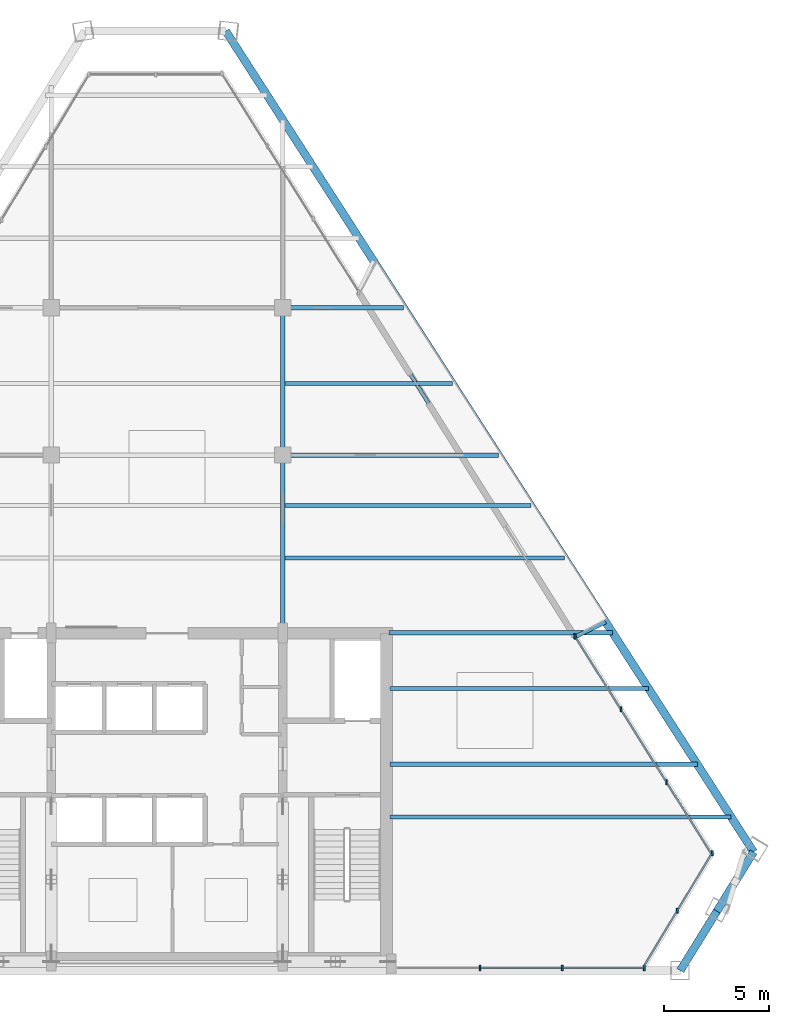
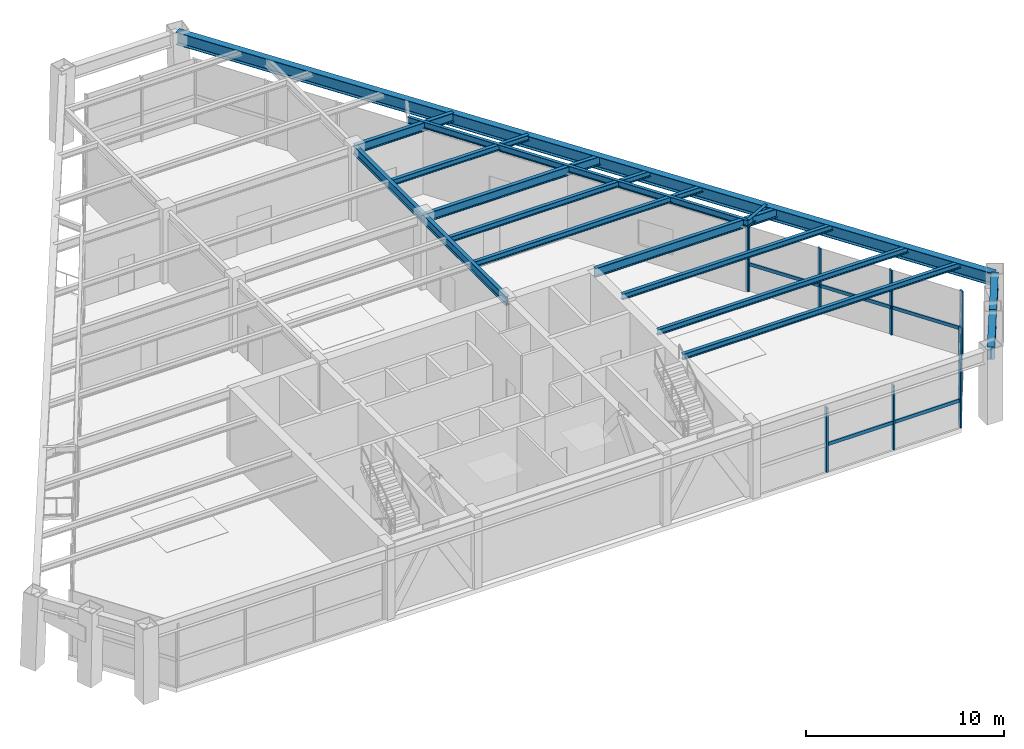
# One storey, part 4 of 11: 16 beams, 16 members, 3 elements without a shape of their own.
"""IFC4 building model written with IfcOpenShell, lengths in metres."""

from ifc_helpers import new_model, si_unit, direction, frame, origin, origin_2d, place, context, subcontext, project, spatial, rectangle, i_section, extrude, source, transform, mapped, material, material_profile, profile_set, type_object, type_shapes, element, aggregate, save


model = new_model("IFC4")

# Units and contexts
model_context = context("Model", 3, precision=1e-05, world=origin(), true_north=direction((0.0, 1.0)))
body_context = subcontext(model_context, "Body", "Model", "MODEL_VIEW")
ifc_project = project(units=[si_unit("LENGTHUNIT", "METRE"), si_unit("AREAUNIT", "SQUARE_METRE"), si_unit("VOLUMEUNIT", "CUBIC_METRE"), si_unit("PLANEANGLEUNIT", "RADIAN"), si_unit("MASSUNIT", "GRAM", prefix="KILO")], contexts=[model_context])

# Site, building, storey
site_placement = place(None, origin())
site = spatial("IfcSite", under=ifc_project, at=site_placement, CompositionType="ELEMENT")
building_placement = place(site_placement, origin())
building = spatial("IfcBuilding", under=site, at=building_placement, Name="Varnakhor Terracotta Tower", CompositionType="ELEMENT")
storey_placement = place(building_placement, frame((0.0, 0.0, 215.39990234375)))
storey = spatial("IfcBuildingStorey", under=building, at=storey_placement, Name="L55", CompositionType="ELEMENT", Elevation=215.39990234375)

# Beams
ifc_material_1 = material(Name="Steel S355", Category="steel")
ifc_material_profile_1 = material_profile(ifc_material_1, i_section(OverallWidth=0.381103515625, OverallDepth=0.77294921875, WebThickness=0.01708984375, FlangeThickness=0.027099609375, FilletRadius=0.01806640625, at=origin_2d()), Name="W30X173")
ifc_profile_set_1 = profile_set([ifc_material_profile_1], Name="Steel S355")
beam_type_1 = type_object("IfcBeamType", Name="BM-W30X173", PredefinedType="BEAM", material=ifc_profile_set_1)
shared_shape_1 = source(origin(), body_context, "Body", "SweptSolid", [
    extrude(i_section(OverallWidth=0.381103515625, OverallDepth=0.77294921875, WebThickness=0.01708984375, FlangeThickness=0.027099609375, FilletRadius=0.01806640625, at=origin_2d()), origin(), (0.0, 0.0, 1.0), 3.31298828125),
])
beam_1_placement = place(storey_placement, frame((24.388671875, 0.0, 4.003662109375), z_axis=(0.525732907472, 0.85064969876, 0.0), x_axis=(-0.85064969876, 0.525732907472, 0.0)))
element("IfcBeam", 1, at=beam_1_placement, inside=storey, type_object=beam_type_1, Name="L55 Perimeter Spandrel 2", PredefinedType="BEAM", context=body_context, shape_type="MappedRepresentation", body=[
    mapped(shared_shape_1, transform((0.0, 0.0, 0.0), scale=1.0)),
])
shared_shape_2 = source(origin(), body_context, "Body", "SweptSolid", [
    extrude(i_section(OverallWidth=0.381103515625, OverallDepth=0.77294921875, WebThickness=0.01708984375, FlangeThickness=0.027099609375, FilletRadius=0.01806640625, at=origin_2d()), origin(), (0.0, 0.0, 1.0), 3.312744140625),
])
beam_2_placement = place(storey_placement, frame((26.13037109375, 2.818115234375, 4.003662109375), z_axis=(0.525679579042, 0.850682655388, 0.0), x_axis=(-0.850682655388, 0.525679579042, 0.0)))
element("IfcBeam", 2, at=beam_2_placement, inside=storey, type_object=beam_type_1, Name="L55 Perimeter Spandrel 3", PredefinedType="BEAM", context=body_context, shape_type="MappedRepresentation", body=[
    mapped(shared_shape_2, transform((0.0, 0.0, 0.0), scale=1.0)),
])
shared_shape_3 = source(origin(), body_context, "Body", "SweptSolid", [
    extrude(i_section(OverallWidth=0.381103515625, OverallDepth=0.77294921875, WebThickness=0.01708984375, FlangeThickness=0.027099609375, FilletRadius=0.01806640625, at=origin_2d()), origin(), (0.0, 0.0, 1.0), 46.388427734375),
])
beam_3_placement = place(storey_placement, frame((27.871826171875, 5.63623046875, 4.003662109375), z_axis=(-0.540837920291, 0.841126829899, 0.0), x_axis=(-0.841126829899, -0.540837920291, 0.0)))
element("IfcBeam", 3, at=beam_3_placement, inside=storey, type_object=beam_type_1, Name="L55 Perimeter Spandrel 4", PredefinedType="BEAM", context=body_context, shape_type="MappedRepresentation", body=[
    mapped(shared_shape_3, transform((0.0, 0.0, 0.0), scale=1.0)),
])
ifc_material_profile_2 = material_profile(ifc_material_1, i_section(OverallWidth=0.179931640625, OverallDepth=0.39990234375, WebThickness=0.008544921875, FlangeThickness=0.013427734375, FilletRadius=0.01806640625, at=origin_2d()), Name="IPE400")
ifc_profile_set_2 = profile_set([ifc_material_profile_2], Name="Steel S355")
beam_type_2 = type_object("IfcBeamType", Name="JST-IPE400", PredefinedType="JOIST", material=ifc_profile_set_2)
shared_shape_4 = source(origin(), body_context, "Body", "SweptSolid", [
    extrude(i_section(OverallWidth=0.179931640625, OverallDepth=0.39990234375, WebThickness=0.008544921875, FlangeThickness=0.013427734375, FilletRadius=0.01806640625, at=origin_2d()), origin(), (0.0, 0.0, 1.0), 19.382080078125),
])
beam_4_placement = place(storey_placement, frame((19.37646484375, 15.8486328125, 4.190185546875), z_axis=(-0.530538911835, 0.847660582444, 0.0), x_axis=(-0.847660582444, -0.530538911835, 0.0)))
element("IfcBeam", 4, at=beam_4_placement, inside=storey, type_object=beam_type_2, Name="L55 Loggia Edge Beam 1", PredefinedType="JOIST", context=body_context, shape_type="MappedRepresentation", body=[
    mapped(shared_shape_4, transform((0.0, 0.0, 0.0), scale=1.0)),
])
ifc_material_profile_3 = material_profile(ifc_material_1, i_section(OverallWidth=0.214111328125, OverallDepth=0.549072265625, WebThickness=0.014892578125, FlangeThickness=0.02392578125, FilletRadius=0.01806640625, at=origin_2d()), Name="W21X93")
ifc_profile_set_3 = profile_set([ifc_material_profile_3], Name="Steel S355")
beam_type_3 = type_object("IfcBeamType", Name="BM-W21X93", PredefinedType="BEAM", material=ifc_profile_set_3)
shared_shape_5 = source(origin(), body_context, "Body", "SweptSolid", [
    extrude(i_section(OverallWidth=0.214111328125, OverallDepth=0.549072265625, WebThickness=0.014892578125, FlangeThickness=0.02392578125, FilletRadius=0.01806640625, at=origin_2d()), origin(), (0.0, 0.0, 1.0), 8.449951171875),
])
type_shapes(beam_type_3, [shared_shape_5])
beam_5_placement = place(storey_placement, frame((5.5, 16.050048828125, 4.115478515625), z_axis=(0.0, 1.0, 0.0), x_axis=(-1.0, 0.0, 0.0)))
element("IfcBeam", 5, at=beam_5_placement, inside=storey, type_object=beam_type_3, Name="L55 Primary Girder NS1-E", PredefinedType="BEAM", context=body_context, shape_type="MappedRepresentation", body=[
    mapped(shared_shape_5, transform((0.0, 0.0, 0.0), scale=1.0)),
])
shared_shape_6 = source(origin(), body_context, "Body", "SweptSolid", [
    extrude(i_section(OverallWidth=0.214111328125, OverallDepth=0.549072265625, WebThickness=0.014892578125, FlangeThickness=0.02392578125, FilletRadius=0.01806640625, at=origin_2d()), origin(), (0.0, 0.0, 1.0), 7.0),
])
beam_6_placement = place(storey_placement, frame((5.5, 24.5, 4.115478515625), z_axis=(0.0, 1.0, 0.0), x_axis=(-1.0, 0.0, 0.0)))
element("IfcBeam", 6, at=beam_6_placement, inside=storey, type_object=beam_type_3, Name="L55 Primary Girder NS2-E", PredefinedType="BEAM", context=body_context, shape_type="MappedRepresentation", body=[
    mapped(shared_shape_6, transform((0.0, 0.0, 0.0), scale=1.0)),
])
shared_shape_7 = source(origin(), body_context, "Body", "SweptSolid", [
    extrude(i_section(OverallWidth=0.214111328125, OverallDepth=0.549072265625, WebThickness=0.014892578125, FlangeThickness=0.02392578125, FilletRadius=0.01806640625, at=origin_2d()), origin(), (0.0, 0.0, 1.0), 10.625732421875),
])
beam_7_placement = place(storey_placement, frame((10.550048828125, 16.050048828125, 4.115478515625), z_axis=(1.0, 0.0, 0.0), x_axis=(0.0, 1.0, 0.0)))
element("IfcBeam", 7, at=beam_7_placement, inside=storey, type_object=beam_type_3, Name="L55 Wing Girder E", PredefinedType="BEAM", context=body_context, shape_type="MappedRepresentation", body=[
    mapped(shared_shape_7, transform((0.0, 0.0, 0.0), scale=1.0)),
])
shared_shape_8 = source(origin(), body_context, "Body", "SweptSolid", [
    extrude(i_section(OverallWidth=0.214111328125, OverallDepth=0.549072265625, WebThickness=0.014892578125, FlangeThickness=0.02392578125, FilletRadius=0.01806640625, at=origin_2d()), origin(), (0.0, 0.0, 1.0), 10.24267578125),
])
beam_8_placement = place(storey_placement, frame((5.5, 24.5, 4.115478515625), z_axis=(1.0, 0.0, 0.0), x_axis=(0.0, 1.0, 0.0)))
element("IfcBeam", 8, at=beam_8_placement, inside=storey, type_object=beam_type_3, Name="L55 Primary Girder EW2-3", PredefinedType="BEAM", context=body_context, shape_type="MappedRepresentation", body=[
    mapped(shared_shape_8, transform((0.0, 0.0, 0.0), scale=1.0)),
])
shared_shape_9 = source(origin(), body_context, "Body", "SweptSolid", [
    extrude(i_section(OverallWidth=0.214111328125, OverallDepth=0.549072265625, WebThickness=0.014892578125, FlangeThickness=0.02392578125, FilletRadius=0.01806640625, at=origin_2d()), origin(), (0.0, 0.0, 1.0), 5.74169921875),
])
beam_9_placement = place(storey_placement, frame((5.5, 31.5, 4.115478515625), z_axis=(1.0, 0.0, 0.0), x_axis=(0.0, 1.0, 0.0)))
element("IfcBeam", 9, at=beam_9_placement, inside=storey, type_object=beam_type_3, Name="L55 Primary Girder EW3-3", PredefinedType="BEAM", context=body_context, shape_type="MappedRepresentation", body=[
    mapped(shared_shape_9, transform((0.0, 0.0, 0.0), scale=1.0)),
])
ifc_material_profile_4 = material_profile(ifc_material_1, i_section(OverallWidth=0.202880859375, OverallDepth=0.346923828125, WebThickness=0.0078125, FlangeThickness=0.013427734375, FilletRadius=0.01806640625, at=origin_2d()), Name="W14X43")
ifc_profile_set_4 = profile_set([ifc_material_profile_4], Name="Steel S355")
beam_type_4 = type_object("IfcBeamType", Name="JST-W14X43", PredefinedType="JOIST", material=ifc_profile_set_4)
shared_shape_10 = source(origin(), body_context, "Body", "SweptSolid", [
    extrude(i_section(OverallWidth=0.202880859375, OverallDepth=0.346923828125, WebThickness=0.0078125, FlangeThickness=0.013427734375, FilletRadius=0.01806640625, at=origin_2d()), origin(), (0.0, 0.0, 1.0), 16.201904296875),
])
beam_10_placement = place(storey_placement, frame((10.60009765625, 7.300048828125, 4.216552734375), z_axis=(1.0, 0.0, 0.0), x_axis=(0.0, 1.0, 0.0)))
element("IfcBeam", 10, at=beam_10_placement, inside=storey, type_object=beam_type_4, Name="L55 Floor Joist E1", PredefinedType="JOIST", context=body_context, shape_type="MappedRepresentation", body=[
    mapped(shared_shape_10, transform((0.0, 0.0, 0.0), scale=1.0)),
])
shared_shape_11 = source(origin(), body_context, "Body", "SweptSolid", [
    extrude(i_section(OverallWidth=0.202880859375, OverallDepth=0.346923828125, WebThickness=0.0078125, FlangeThickness=0.013427734375, FilletRadius=0.01806640625, at=origin_2d()), origin(), (0.0, 0.0, 1.0), 14.594482421875),
])
beam_11_placement = place(storey_placement, frame((10.60009765625, 9.800048828125, 4.216552734375), z_axis=(1.0, 0.0, 0.0), x_axis=(0.0, 1.0, 0.0)))
element("IfcBeam", 11, at=beam_11_placement, inside=storey, type_object=beam_type_4, Name="L55 Floor Joist E2", PredefinedType="JOIST", context=body_context, shape_type="MappedRepresentation", body=[
    mapped(shared_shape_11, transform((0.0, 0.0, 0.0), scale=1.0)),
])
shared_shape_12 = source(origin(), body_context, "Body", "SweptSolid", [
    extrude(i_section(OverallWidth=0.202880859375, OverallDepth=0.346923828125, WebThickness=0.0078125, FlangeThickness=0.013427734375, FilletRadius=0.01806640625, at=origin_2d()), origin(), (0.0, 0.0, 1.0), 12.27978515625),
])
beam_12_placement = place(storey_placement, frame((10.60009765625, 13.39990234375, 4.216552734375), z_axis=(1.0, 0.0, 0.0), x_axis=(0.0, 1.0, 0.0)))
element("IfcBeam", 12, at=beam_12_placement, inside=storey, type_object=beam_type_4, Name="L55 Floor Joist E3", PredefinedType="JOIST", context=body_context, shape_type="MappedRepresentation", body=[
    mapped(shared_shape_12, transform((0.0, 0.0, 0.0), scale=1.0)),
])
shared_shape_13 = source(origin(), body_context, "Body", "SweptSolid", [
    extrude(i_section(OverallWidth=0.202880859375, OverallDepth=0.346923828125, WebThickness=0.0078125, FlangeThickness=0.013427734375, FilletRadius=0.01806640625, at=origin_2d()), origin(), (0.0, 0.0, 1.0), 13.290283203125),
])
beam_13_placement = place(storey_placement, frame((5.60302734375, 19.60009765625, 4.216552734375), z_axis=(1.0, 0.0, 0.0), x_axis=(0.0, 1.0, 0.0)))
element("IfcBeam", 13, at=beam_13_placement, inside=storey, type_object=beam_type_4, Name="L55 Composite Floor Joist 4-3", PredefinedType="JOIST", context=body_context, shape_type="MappedRepresentation", body=[
    mapped(shared_shape_13, transform((0.0, 0.0, 0.0), scale=1.0)),
])
shared_shape_14 = source(origin(), body_context, "Body", "SweptSolid", [
    extrude(i_section(OverallWidth=0.202880859375, OverallDepth=0.346923828125, WebThickness=0.0078125, FlangeThickness=0.013427734375, FilletRadius=0.01806640625, at=origin_2d()), origin(), (0.0, 0.0, 1.0), 11.682861328125),
])
beam_14_placement = place(storey_placement, frame((5.60302734375, 22.10009765625, 4.216552734375), z_axis=(1.0, 0.0, 0.0), x_axis=(0.0, 1.0, 0.0)))
element("IfcBeam", 14, at=beam_14_placement, inside=storey, type_object=beam_type_4, Name="L55 Composite Floor Joist 5-3", PredefinedType="JOIST", context=body_context, shape_type="MappedRepresentation", body=[
    mapped(shared_shape_14, transform((0.0, 0.0, 0.0), scale=1.0)),
])
shared_shape_15 = source(origin(), body_context, "Body", "SweptSolid", [
    extrude(i_section(OverallWidth=0.202880859375, OverallDepth=0.346923828125, WebThickness=0.0078125, FlangeThickness=0.013427734375, FilletRadius=0.01806640625, at=origin_2d()), origin(), (0.0, 0.0, 1.0), 7.953369140625),
])
beam_15_placement = place(storey_placement, frame((5.60302734375, 27.89990234375, 4.216552734375), z_axis=(1.0, 0.0, 0.0), x_axis=(0.0, 1.0, 0.0)))
element("IfcBeam", 15, at=beam_15_placement, inside=storey, type_object=beam_type_4, Name="L55 Composite Floor Joist 6-3", PredefinedType="JOIST", context=body_context, shape_type="MappedRepresentation", body=[
    mapped(shared_shape_15, transform((0.0, 0.0, 0.0), scale=1.0)),
])

# Curtain wall, members
ifc_material_2 = material(Name="Anodised Aluminium Curtain Wall System", Category="aluminium")
curtain_wall_type = type_object("IfcCurtainWallType", Name="CW-SYS-SKYLOBBY", PredefinedType="NOTDEFINED", material=ifc_material_2)
curtain_wall_1_placement = place(storey_placement, origin())
curtain_wall_1 = element("IfcCurtainWall", 16, at=curtain_wall_1_placement, inside=storey, type_object=curtain_wall_type, Name="L55 E Facet Curtain Wall 2", PredefinedType="NOTDEFINED")
ifc_material_3 = material(Name="Anodised Aluminium 6063-T6", Category="aluminium")
ifc_material_profile_5 = material_profile(ifc_material_3, rectangle(XDim=0.090087890625, YDim=0.239990234375, at=origin_2d()), Name="ALU MULLION 90x240")
ifc_profile_set_5 = profile_set([ifc_material_profile_5], Name="Anodised Aluminium 6063-T6")
member_type_1 = type_object("IfcMemberType", Name="CWM-05", PredefinedType="MULLION", material=ifc_profile_set_5)
shared_shape_16 = source(origin(), body_context, "Body", "SweptSolid", [
    extrude(rectangle(XDim=0.090087890625, YDim=0.239990234375, at=origin_2d()), origin(), (0.0, 0.0, 1.0), 3.97021484375),
])
member_1_placement = place(storey_placement, frame((19.4013671875, 15.86376953125, 0.0), z_axis=(0.0, 0.0, 1.0), x_axis=(1.0, 0.0, 0.0)))
member_1 = element("IfcMember", 17, at=member_1_placement, type_object=member_type_1, Name="L55 E Facet Curtain Wall 2 Mullion 1", PredefinedType="MULLION", context=body_context, shape_type="MappedRepresentation", body=[
    mapped(shared_shape_16, transform((0.0, 0.0, 0.0), scale=1.0)),
])
member_2_placement = place(storey_placement, frame((21.568359375, 12.41064453125, 0.0), z_axis=(0.0, 0.0, 1.0), x_axis=(1.0, 0.0, 0.0)))
member_2 = element("IfcMember", 18, at=member_2_placement, type_object=member_type_1, Name="L55 E Facet Curtain Wall 2 Mullion 2", PredefinedType="MULLION", context=body_context, shape_type="MappedRepresentation", body=[
    mapped(shared_shape_16, transform((0.0, 0.0, 0.0), scale=1.0)),
])
member_3_placement = place(storey_placement, frame((23.7353515625, 8.95751953125, 0.0), z_axis=(0.0, 0.0, 1.0), x_axis=(1.0, 0.0, 0.0)))
member_3 = element("IfcMember", 19, at=member_3_placement, type_object=member_type_1, Name="L55 E Facet Curtain Wall 2 Mullion 3", PredefinedType="MULLION", context=body_context, shape_type="MappedRepresentation", body=[
    mapped(shared_shape_16, transform((0.0, 0.0, 0.0), scale=1.0)),
])
member_4_placement = place(storey_placement, frame((19.368408203125, 15.878662109375, 0.0), z_axis=(0.0, 0.0, 1.0), x_axis=(1.0, 0.0, 0.0)))
member_4 = element("IfcMember", 20, at=member_4_placement, type_object=member_type_1, Name="L55 E Loggia Jamb Closure Mullion 2", PredefinedType="MULLION", context=body_context, shape_type="MappedRepresentation", body=[
    mapped(shared_shape_16, transform((0.0, 0.0, 0.0), scale=1.0)),
])

curtain_wall_2_placement = place(storey_placement, origin())
curtain_wall_2 = element("IfcCurtainWall", 21, at=curtain_wall_2_placement, inside=storey, type_object=curtain_wall_type, Name="L55 Facet Curtain Wall 4", PredefinedType="NOTDEFINED")
member_5_placement = place(storey_placement, frame((25.901611328125, 5.578857421875, 0.0), z_axis=(0.0, 0.0, 1.0), x_axis=(1.0, 0.0, 0.0)))
member_5 = element("IfcMember", 22, at=member_5_placement, type_object=member_type_1, Name="L55 Facet Curtain Wall 4 Mullion 1", PredefinedType="MULLION", context=body_context, shape_type="MappedRepresentation", body=[
    mapped(shared_shape_16, transform((0.0, 0.0, 0.0), scale=1.0)),
])
member_6_placement = place(storey_placement, frame((24.24755859375, 2.833251953125, 0.0), z_axis=(0.0, 0.0, 1.0), x_axis=(1.0, 0.0, 0.0)))
member_6 = element("IfcMember", 23, at=member_6_placement, type_object=member_type_1, Name="L55 Facet Curtain Wall 4 Mullion 2", PredefinedType="MULLION", context=body_context, shape_type="MappedRepresentation", body=[
    mapped(shared_shape_16, transform((0.0, 0.0, 0.0), scale=1.0)),
])

curtain_wall_3_placement = place(storey_placement, origin())
curtain_wall_3 = element("IfcCurtainWall", 24, at=curtain_wall_3_placement, inside=storey, type_object=curtain_wall_type, Name="L55 South Wing Curtain Wall SSE", PredefinedType="NOTDEFINED")
member_7_placement = place(storey_placement, frame((22.670654296875, 0.1201171875, 0.0), z_axis=(0.0, 0.0, 1.0), x_axis=(1.0, 0.0, 0.0)))
member_7 = element("IfcMember", 25, at=member_7_placement, type_object=member_type_1, Name="L55 South Wing Curtain Wall SSE Mullion 1", PredefinedType="MULLION", context=body_context, shape_type="MappedRepresentation", body=[
    mapped(shared_shape_16, transform((0.0, 0.0, 0.0), scale=1.0)),
])
member_8_placement = place(storey_placement, frame((18.7705078125, 0.1201171875, 0.0), z_axis=(0.0, 0.0, 1.0), x_axis=(1.0, 0.0, 0.0)))
member_8 = element("IfcMember", 26, at=member_8_placement, type_object=member_type_1, Name="L55 South Wing Curtain Wall SSE Mullion 2", PredefinedType="MULLION", context=body_context, shape_type="MappedRepresentation", body=[
    mapped(shared_shape_16, transform((0.0, 0.0, 0.0), scale=1.0)),
])
member_9_placement = place(storey_placement, frame((14.8701171875, 0.1201171875, 0.0), z_axis=(0.0, 0.0, 1.0), x_axis=(1.0, 0.0, 0.0)))
member_9 = element("IfcMember", 27, at=member_9_placement, type_object=member_type_1, Name="L55 South Wing Curtain Wall SSE Mullion 3", PredefinedType="MULLION", context=body_context, shape_type="MappedRepresentation", body=[
    mapped(shared_shape_16, transform((0.0, 0.0, 0.0), scale=1.0)),
])

# Member
ifc_material_profile_6 = material_profile(ifc_material_3, rectangle(XDim=0.090087890625, YDim=0.2099609375, at=origin_2d()), Name="ALU TRANSOM 90x210")
ifc_profile_set_6 = profile_set([ifc_material_profile_6], Name="Anodised Aluminium 6063-T6")
member_type_2 = type_object("IfcMemberType", Name="CWT-05", PredefinedType="USERDEFINED", material=ifc_profile_set_6)
shared_shape_17 = source(origin(), body_context, "Body", "SweptSolid", [
    extrude(rectangle(XDim=0.090087890625, YDim=0.2099609375, at=origin_2d()), origin(), (0.0, 0.0, 1.0), 4.07666015625),
])
member_10_placement = place(storey_placement, frame((19.4013671875, 15.86376953125, 1.66748046875), z_axis=(0.531548362189, -0.847027944435, 0.0), x_axis=(0.847027944435, 0.531548362189, 0.0)))
member_10 = element("IfcMember", 28, at=member_10_placement, type_object=member_type_2, Name="L55 E Facet Curtain Wall 2 Transom 1", ObjectType="TRANSOM", PredefinedType="USERDEFINED", context=body_context, shape_type="MappedRepresentation", body=[
    mapped(shared_shape_17, transform((0.0, 0.0, 0.0), scale=1.0)),
])

member_11_placement = place(storey_placement, frame((21.568359375, 12.41064453125, 1.66748046875), z_axis=(0.531548362189, -0.847027944435, 0.0), x_axis=(0.847027944435, 0.531548362189, 0.0)))
member_11 = element("IfcMember", 29, at=member_11_placement, type_object=member_type_2, Name="L55 E Facet Curtain Wall 2 Transom 2", ObjectType="TRANSOM", PredefinedType="USERDEFINED", context=body_context, shape_type="MappedRepresentation", body=[
    mapped(shared_shape_17, transform((0.0, 0.0, 0.0), scale=1.0)),
])

shared_shape_18 = source(origin(), body_context, "Body", "SweptSolid", [
    extrude(rectangle(XDim=0.090087890625, YDim=0.2099609375, at=origin_2d()), origin(), (0.0, 0.0, 1.0), 4.076904296875),
])
member_12_placement = place(storey_placement, frame((23.7353515625, 8.95751953125, 1.66748046875), z_axis=(0.531521400424, -0.847044863565, 0.0), x_axis=(0.847044863565, 0.531521400424, 0.0)))
member_12 = element("IfcMember", 30, at=member_12_placement, type_object=member_type_2, Name="L55 E Facet Curtain Wall 2 Transom 3", ObjectType="TRANSOM", PredefinedType="USERDEFINED", context=body_context, shape_type="MappedRepresentation", body=[
    mapped(shared_shape_18, transform((0.0, 0.0, 0.0), scale=1.0)),
])

aggregate(curtain_wall_1, [member_1, member_10, member_2, member_11, member_3, member_12, member_4])

shared_shape_19 = source(origin(), body_context, "Body", "SweptSolid", [
    extrude(rectangle(XDim=0.090087890625, YDim=0.2099609375, at=origin_2d()), origin(), (0.0, 0.0, 1.0), 3.205322265625),
])
member_13_placement = place(storey_placement, frame((25.901611328125, 5.578857421875, 1.66748046875), z_axis=(-0.51602946679, -0.856570831516, 0.0), x_axis=(0.856570831516, -0.51602946679, 0.0)))
member_13 = element("IfcMember", 31, at=member_13_placement, type_object=member_type_2, Name="L55 Facet Curtain Wall 4 Transom 1", ObjectType="TRANSOM", PredefinedType="USERDEFINED", context=body_context, shape_type="MappedRepresentation", body=[
    mapped(shared_shape_19, transform((0.0, 0.0, 0.0), scale=1.0)),
])

member_14_placement = place(storey_placement, frame((24.24755859375, 2.833251953125, 1.66748046875), z_axis=(-0.51602946679, -0.856570831516, 0.0), x_axis=(0.856570831516, -0.51602946679, 0.0)))
member_14 = element("IfcMember", 32, at=member_14_placement, type_object=member_type_2, Name="L55 Facet Curtain Wall 4 Transom 2", ObjectType="TRANSOM", PredefinedType="USERDEFINED", context=body_context, shape_type="MappedRepresentation", body=[
    mapped(shared_shape_19, transform((0.0, 0.0, 0.0), scale=1.0)),
])

aggregate(curtain_wall_2, [member_5, member_13, member_6, member_14])

shared_shape_20 = source(origin(), body_context, "Body", "SweptSolid", [
    extrude(rectangle(XDim=0.090087890625, YDim=0.2099609375, at=origin_2d()), origin(), (0.0, 0.0, 1.0), 3.900146484375),
])
member_15_placement = place(storey_placement, frame((22.670654296875, 0.1201171875, 1.66748046875), z_axis=(-1.0, 0.0, 0.0), x_axis=(0.0, -1.0, 0.0)))
member_15 = element("IfcMember", 33, at=member_15_placement, type_object=member_type_2, Name="L55 South Wing Curtain Wall SSE Transom 1", ObjectType="TRANSOM", PredefinedType="USERDEFINED", context=body_context, shape_type="MappedRepresentation", body=[
    mapped(shared_shape_20, transform((0.0, 0.0, 0.0), scale=1.0)),
])

shared_shape_21 = source(origin(), body_context, "Body", "SweptSolid", [
    extrude(rectangle(XDim=0.090087890625, YDim=0.2099609375, at=origin_2d()), origin(), (0.0, 0.0, 1.0), 3.900390625),
])
member_16_placement = place(storey_placement, frame((18.7705078125, 0.1201171875, 1.66748046875), z_axis=(-1.0, 0.0, 0.0), x_axis=(0.0, -1.0, 0.0)))
member_16 = element("IfcMember", 34, at=member_16_placement, type_object=member_type_2, Name="L55 South Wing Curtain Wall SSE Transom 2", ObjectType="TRANSOM", PredefinedType="USERDEFINED", context=body_context, shape_type="MappedRepresentation", body=[
    mapped(shared_shape_21, transform((0.0, 0.0, 0.0), scale=1.0)),
])

aggregate(curtain_wall_3, [member_7, member_15, member_8, member_16, member_9])

# Beam
shared_shape_22 = source(origin(), body_context, "Body", "SweptSolid", [
    extrude(i_section(OverallWidth=0.179931640625, OverallDepth=0.39990234375, WebThickness=0.008544921875, FlangeThickness=0.013427734375, FilletRadius=0.01806640625, at=origin_2d()), origin(), (0.0, 0.0, 1.0), 1.634033203125),
])
beam_16_placement = place(storey_placement, frame((19.37646484375, 15.8486328125, 4.190185546875), z_axis=(0.899886965967, 0.43612320333, 0.0), x_axis=(-0.43612320333, 0.899886965967, 0.0)))
element("IfcBeam", 35, at=beam_16_placement, inside=storey, type_object=beam_type_2, Name="L56 E Loggia Tie Beam 2", PredefinedType="JOIST", context=body_context, shape_type="MappedRepresentation", body=[
    mapped(shared_shape_22, transform((0.0, 0.0, 0.0), scale=1.0)),
])

save(model, "model.ifc")
